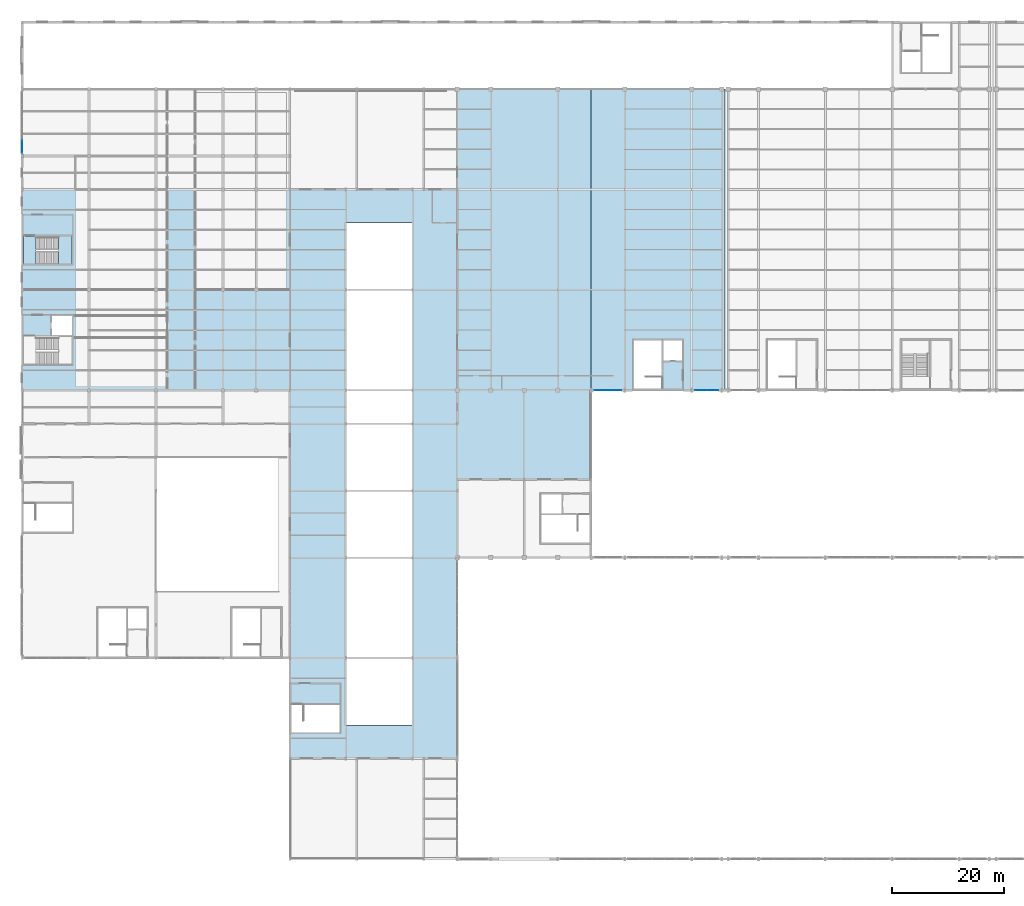
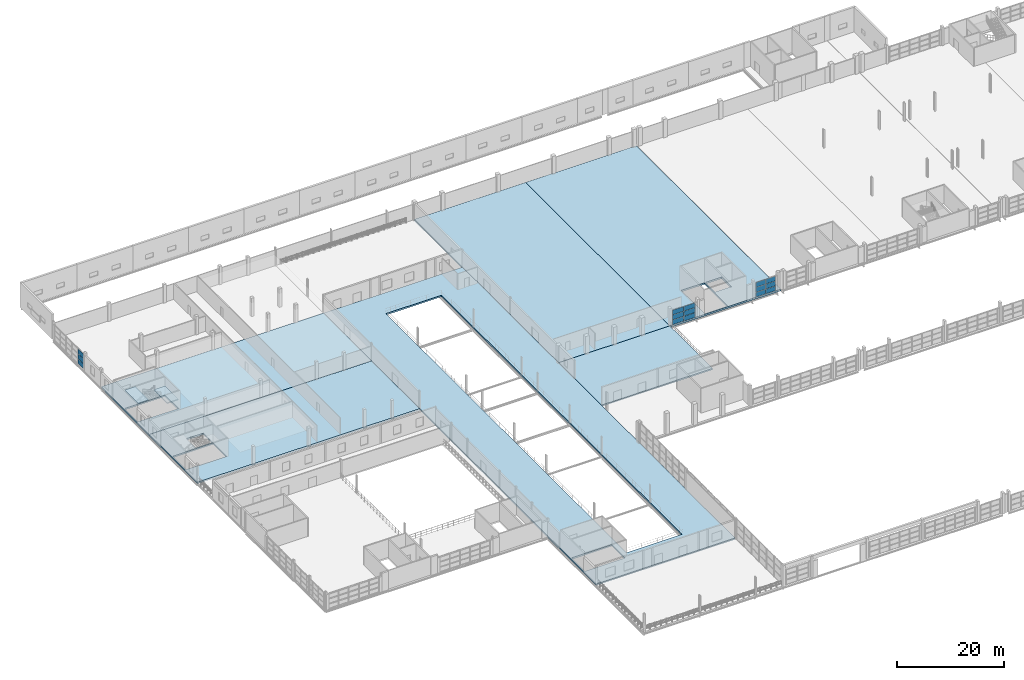
# One storey, part 122 of 147: 15 plates, 8 slabs, 4 elements without a shape of their own.
"""IFC4 building model written with IfcOpenShell, lengths in metres."""

from ifc_helpers import new_model, si_unit, direction, frame, origin, origin_2d, place, context, subcontext, project, spatial, polyline, rectangle, outline, extrude, material, layer, layer_set, type_object, element, aggregate, save


model = new_model("IFC4")

# Units and contexts
model_context = context("Model", 3, precision=1e-05, world=origin(), true_north=direction((0.0, 1.0)))
body_context = subcontext(model_context, "Body", "Model", "MODEL_VIEW")
ifc_project = project(units=[si_unit("LENGTHUNIT", "METRE"), si_unit("AREAUNIT", "SQUARE_METRE"), si_unit("VOLUMEUNIT", "CUBIC_METRE"), si_unit("PLANEANGLEUNIT", "RADIAN"), si_unit("MASSUNIT", "GRAM", prefix="KILO")], contexts=[model_context])

# Site, building, storey
site_placement = place(None, origin())
site = spatial("IfcSite", under=ifc_project, at=site_placement, CompositionType="ELEMENT")
building_placement = place(site_placement, origin())
building = spatial("IfcBuilding", under=site, at=building_placement, Name="Zilviju Railside Exhibition Hall", CompositionType="ELEMENT")
storey_placement = place(building_placement, frame((0.0, 0.0, 8.39990234375)))
storey = spatial("IfcBuildingStorey", under=building, at=storey_placement, Name="L03", CompositionType="ELEMENT", Elevation=8.39990234375)

# Curtain wall, plates
ifc_material_1 = material(Name="Thermally broken aluminium-steel triple-glazed curtain wall", Category="steel")
ifc_layer_1 = layer(ifc_material_1, 0.179931640625)
ifc_layer_set_1 = layer_set([ifc_layer_1], Name="Thermally broken aluminium-steel triple-glazed curtain wall")
curtain_wall_type_1 = type_object("IfcCurtainWallType", Name="CW-BAY-05", PredefinedType="USERDEFINED", material=ifc_layer_set_1)
curtain_wall_1_placement = place(storey_placement, origin())
curtain_wall_1 = element("IfcCurtainWall", 1, at=curtain_wall_1_placement, inside=storey, type_object=curtain_wall_type_1, Name="Organisers Wing Jugendstils Erkeri Curtain Wall L03", ObjectType="GLAZED CURTAIN WALL", PredefinedType="USERDEFINED")
ifc_material_2 = material(Name="Laminated acoustic double-glazed porch unit", Category="glass")
ifc_layer_2 = layer(ifc_material_2, 0.031982421875)
ifc_layer_set_2 = layer_set([ifc_layer_2], Name="Laminated acoustic double-glazed porch unit")
plate_type_1 = type_object("IfcPlateType", Name="CWP-IGU-32", PredefinedType="CURTAIN_PANEL", material=ifc_layer_set_2)
plate_1_placement = place(storey_placement, frame((0.0, 127.655029296875, 0.06005859375), z_axis=(0.0, 0.0, 1.0), x_axis=(0.0, 1.0, 0.0)))
plate_1 = element("IfcPlate", 2, at=plate_1_placement, type_object=plate_type_1, Name="CW-05 panel 1.1", PredefinedType="CURTAIN_PANEL", context=body_context, shape_type="SweptSolid", body=[
    extrude(rectangle(XDim=2.090087890625, YDim=0.031982421875, at=origin_2d()), origin(), (0.0, 0.0, 1.0), 1.076904296875),
])
plate_2_placement = place(storey_placement, frame((0.0, 127.655029296875, 1.197021484375), z_axis=(0.0, 0.0, 1.0), x_axis=(0.0, 1.0, 0.0)))
plate_2 = element("IfcPlate", 3, at=plate_2_placement, type_object=plate_type_1, Name="CW-05 panel 1.2", PredefinedType="CURTAIN_PANEL", context=body_context, shape_type="SweptSolid", body=[
    extrude(rectangle(XDim=2.090087890625, YDim=0.031982421875, at=origin_2d()), origin(), (0.0, 0.0, 1.0), 1.10595703125),
])
plate_3_placement = place(storey_placement, frame((0.0, 127.655029296875, 2.36328125), z_axis=(0.0, 0.0, 1.0), x_axis=(0.0, 1.0, 0.0)))
plate_3 = element("IfcPlate", 4, at=plate_3_placement, type_object=plate_type_1, Name="CW-05 panel 1.3", PredefinedType="CURTAIN_PANEL", context=body_context, shape_type="SweptSolid", body=[
    extrude(rectangle(XDim=2.090087890625, YDim=0.031982421875, at=origin_2d()), origin(), (0.0, 0.0, 1.0), 1.076904296875),
])
aggregate(curtain_wall_1, [plate_1, plate_2, plate_3])

ifc_layer_3 = layer(ifc_material_1, 0.179931640625)
ifc_layer_set_3 = layer_set([ifc_layer_3], Name="Thermally broken aluminium-steel triple-glazed curtain wall")
curtain_wall_type_2 = type_object("IfcCurtainWallType", Name="CW-BAY-18", PredefinedType="USERDEFINED", material=ifc_layer_set_3)
curtain_wall_2_placement = place(storey_placement, origin())
curtain_wall_2 = element("IfcCurtainWall", 5, at=curtain_wall_2_placement, inside=storey, type_object=curtain_wall_type_2, Name="North Hall Garden Court Curtain Wall L03 (102..108)", ObjectType="GLAZED CURTAIN WALL", PredefinedType="USERDEFINED")
ifc_material_3 = material(Name="Triple-glazed low-E argon insulating glass unit", Category="glass")
ifc_layer_4 = layer(ifc_material_3, 0.0439453125)
ifc_layer_set_4 = layer_set([ifc_layer_4], Name="Triple-glazed low-E argon insulating glass unit")
plate_type_2 = type_object("IfcPlateType", Name="CWP-IGU-44", PredefinedType="CURTAIN_PANEL", material=ifc_layer_set_4)
plate_4_placement = place(storey_placement, frame((106.211181640625, 84.0, 0.05517578125), z_axis=(0.0, 0.0, 1.0), x_axis=(-1.0, 0.0, 0.0)))
plate_4 = element("IfcPlate", 6, at=plate_4_placement, type_object=plate_type_2, Name="CW-18 panel 1.1", PredefinedType="CURTAIN_PANEL", context=body_context, shape_type="SweptSolid", body=[
    extrude(rectangle(XDim=2.367431640625, YDim=0.0439453125, at=origin_2d()), origin(), (0.0, 0.0, 1.0), 1.0673828125),
])
plate_5_placement = place(storey_placement, frame((106.211181640625, 84.0, 1.177734375), z_axis=(0.0, 0.0, 1.0), x_axis=(-1.0, 0.0, 0.0)))
plate_5 = element("IfcPlate", 7, at=plate_5_placement, type_object=plate_type_2, Name="CW-18 panel 1.2", PredefinedType="CURTAIN_PANEL", context=body_context, shape_type="SweptSolid", body=[
    extrude(rectangle(XDim=2.367431640625, YDim=0.0439453125, at=origin_2d()), origin(), (0.0, 0.0, 1.0), 1.094970703125),
])
plate_6_placement = place(storey_placement, frame((106.211181640625, 84.0, 2.32763671875), z_axis=(0.0, 0.0, 1.0), x_axis=(-1.0, 0.0, 0.0)))
plate_6 = element("IfcPlate", 8, at=plate_6_placement, type_object=plate_type_2, Name="CW-18 panel 1.3", PredefinedType="CURTAIN_PANEL", context=body_context, shape_type="SweptSolid", body=[
    extrude(rectangle(XDim=2.367431640625, YDim=0.0439453125, at=origin_2d()), origin(), (0.0, 0.0, 1.0), 1.0673828125),
])
plate_7_placement = place(storey_placement, frame((103.788818359375, 84.0, 0.05517578125), z_axis=(0.0, 0.0, 1.0), x_axis=(-1.0, 0.0, 0.0)))
plate_7 = element("IfcPlate", 9, at=plate_7_placement, type_object=plate_type_2, Name="CW-18 panel 2.1", PredefinedType="CURTAIN_PANEL", context=body_context, shape_type="SweptSolid", body=[
    extrude(rectangle(XDim=2.367431640625, YDim=0.0439453125, at=origin_2d()), origin(), (0.0, 0.0, 1.0), 1.0673828125),
])
plate_8_placement = place(storey_placement, frame((103.788818359375, 84.0, 1.177734375), z_axis=(0.0, 0.0, 1.0), x_axis=(-1.0, 0.0, 0.0)))
plate_8 = element("IfcPlate", 10, at=plate_8_placement, type_object=plate_type_2, Name="CW-18 panel 2.2", PredefinedType="CURTAIN_PANEL", context=body_context, shape_type="SweptSolid", body=[
    extrude(rectangle(XDim=2.367431640625, YDim=0.0439453125, at=origin_2d()), origin(), (0.0, 0.0, 1.0), 1.094970703125),
])
plate_9_placement = place(storey_placement, frame((103.788818359375, 84.0, 2.32763671875), z_axis=(0.0, 0.0, 1.0), x_axis=(-1.0, 0.0, 0.0)))
plate_9 = element("IfcPlate", 11, at=plate_9_placement, type_object=plate_type_2, Name="CW-18 panel 2.3", PredefinedType="CURTAIN_PANEL", context=body_context, shape_type="SweptSolid", body=[
    extrude(rectangle(XDim=2.367431640625, YDim=0.0439453125, at=origin_2d()), origin(), (0.0, 0.0, 1.0), 1.0673828125),
])
aggregate(curtain_wall_2, [plate_4, plate_5, plate_6, plate_7, plate_8, plate_9])

ifc_layer_5 = layer(ifc_material_1, 0.179931640625)
ifc_layer_set_5 = layer_set([ifc_layer_5], Name="Thermally broken aluminium-steel triple-glazed curtain wall")
curtain_wall_type_3 = type_object("IfcCurtainWallType", Name="CW-BAY-19", PredefinedType="USERDEFINED", material=ifc_layer_set_5)
curtain_wall_3_placement = place(storey_placement, origin())
curtain_wall_3 = element("IfcCurtainWall", 12, at=curtain_wall_3_placement, inside=storey, type_object=curtain_wall_type_3, Name="North Hall Garden Court Curtain Wall L03 (120..125)", ObjectType="GLAZED CURTAIN WALL", PredefinedType="USERDEFINED")
plate_10_placement = place(storey_placement, frame((123.757568359375, 84.0, 0.070068359375), z_axis=(0.0, 0.0, 1.0), x_axis=(-1.0, 0.0, 0.0)))
plate_10 = element("IfcPlate", 13, at=plate_10_placement, type_object=plate_type_2, Name="CW-19 panel 1.1", PredefinedType="CURTAIN_PANEL", context=body_context, shape_type="SweptSolid", body=[
    extrude(rectangle(XDim=2.044921875, YDim=0.0439453125, at=origin_2d()), origin(), (0.0, 0.0, 1.0), 1.044921875),
])
plate_11_placement = place(storey_placement, frame((123.757568359375, 84.0, 1.18505859375), z_axis=(0.0, 0.0, 1.0), x_axis=(-1.0, 0.0, 0.0)))
plate_11 = element("IfcPlate", 14, at=plate_11_placement, type_object=plate_type_2, Name="CW-19 panel 1.2", PredefinedType="CURTAIN_PANEL", context=body_context, shape_type="SweptSolid", body=[
    extrude(rectangle(XDim=2.044921875, YDim=0.0439453125, at=origin_2d()), origin(), (0.0, 0.0, 1.0), 1.080078125),
])
plate_12_placement = place(storey_placement, frame((123.757568359375, 84.0, 2.335205078125), z_axis=(0.0, 0.0, 1.0), x_axis=(-1.0, 0.0, 0.0)))
plate_12 = element("IfcPlate", 15, at=plate_12_placement, type_object=plate_type_2, Name="CW-19 panel 1.3", PredefinedType="CURTAIN_PANEL", context=body_context, shape_type="SweptSolid", body=[
    extrude(rectangle(XDim=2.044921875, YDim=0.0439453125, at=origin_2d()), origin(), (0.0, 0.0, 1.0), 1.044921875),
])
plate_13_placement = place(storey_placement, frame((121.642578125, 84.0, 0.070068359375), z_axis=(0.0, 0.0, 1.0), x_axis=(-1.0, 0.0, 0.0)))
plate_13 = element("IfcPlate", 16, at=plate_13_placement, type_object=plate_type_2, Name="CW-19 panel 2.1", PredefinedType="CURTAIN_PANEL", context=body_context, shape_type="SweptSolid", body=[
    extrude(rectangle(XDim=2.044921875, YDim=0.0439453125, at=origin_2d()), origin(), (0.0, 0.0, 1.0), 1.044921875),
])
plate_14_placement = place(storey_placement, frame((121.642578125, 84.0, 1.18505859375), z_axis=(0.0, 0.0, 1.0), x_axis=(-1.0, 0.0, 0.0)))
plate_14 = element("IfcPlate", 17, at=plate_14_placement, type_object=plate_type_2, Name="CW-19 panel 2.2", PredefinedType="CURTAIN_PANEL", context=body_context, shape_type="SweptSolid", body=[
    extrude(rectangle(XDim=2.044921875, YDim=0.0439453125, at=origin_2d()), origin(), (0.0, 0.0, 1.0), 1.080078125),
])
plate_15_placement = place(storey_placement, frame((121.642578125, 84.0, 2.335205078125), z_axis=(0.0, 0.0, 1.0), x_axis=(-1.0, 0.0, 0.0)))
plate_15 = element("IfcPlate", 18, at=plate_15_placement, type_object=plate_type_2, Name="CW-19 panel 2.3", PredefinedType="CURTAIN_PANEL", context=body_context, shape_type="SweptSolid", body=[
    extrude(rectangle(XDim=2.044921875, YDim=0.0439453125, at=origin_2d()), origin(), (0.0, 0.0, 1.0), 1.044921875),
])
aggregate(curtain_wall_3, [plate_10, plate_11, plate_12, plate_13, plate_14, plate_15])

# Slabs
ifc_material_4 = material(Name="Concrete C35/45", Category="concrete")
ifc_layer_6 = layer(ifc_material_4, 0.35009765625)
ifc_layer_set_6 = layer_set([ifc_layer_6], Name="Concrete C35/45")
slab_type_1 = type_object("IfcSlabType", Name="SL-FLR-350", PredefinedType="FLOOR", material=ifc_layer_set_6)
slab_1_placement = place(storey_placement, frame((0.0, 0.0, -0.349853515625)))
element("IfcSlab", 19, at=slab_1_placement, inside=storey, type_object=slab_type_1, Name="Winter Concourse L03 Panorama Bridge", PredefinedType="FLOOR", context=body_context, shape_type="SweptSolid", body=[
    extrude(outline(polyline([(48.0, 18.0), (78.0, 18.0), (78.0, 120.0), (48.0, 120.0), (48.0, 18.0)]), holes=[polyline([(58.0, 24.0), (70.0, 24.0), (70.0, 114.0), (58.0, 114.0), (58.0, 24.0)]), polyline([(48.25, 22.64990234375), (56.949951171875, 22.64990234375), (56.949951171875, 27.64990234375), (48.25, 27.64990234375), (48.25, 22.64990234375)])]), origin(), (0.0, 0.0, 1.0), 0.349853515625),
])
slab_2_placement = place(storey_placement, frame((0.0, 0.0, -0.349853515625)))
element("IfcSlab", 20, at=slab_2_placement, inside=storey, type_object=slab_type_1, Name="Breakout Wing L03 Floor Slab 1", PredefinedType="FLOOR", context=body_context, shape_type="SweptSolid", body=[
    extrude(outline(polyline([(0.0, 84.0), (48.0, 84.0), (48.0, 102.0), (0.0, 102.0), (0.0, 84.0)]), holes=[polyline([(0.25, 88.64990234375), (8.949951171875, 88.64990234375), (8.949951171875, 93.64990234375), (0.25, 93.64990234375), (0.25, 88.64990234375)]), polyline([(5.300048828125, 93.89990234375), (8.949951171875, 93.89990234375), (8.949951171875, 97.35009765625), (5.300048828125, 97.35009765625), (5.300048828125, 93.89990234375)])]), origin(), (0.0, 0.0, 1.0), 0.349853515625),
])
slab_3_placement = place(storey_placement, frame((0.0, 0.0, -0.349853515625)))
element("IfcSlab", 21, at=slab_3_placement, inside=storey, type_object=slab_type_1, Name="Breakout Wing L03 Floor Slab 2", PredefinedType="FLOOR", context=body_context, shape_type="SweptSolid", body=[
    extrude(outline(polyline([(0.0, 102.0), (48.0, 102.0), (48.0, 120.0), (0.0, 120.0), (0.0, 102.0)]), holes=[polyline([(0.25, 106.64990234375), (8.949951171875, 106.64990234375), (8.949951171875, 111.64990234375), (0.25, 111.64990234375), (0.25, 106.64990234375)])]), origin(), (0.0, 0.0, 1.0), 0.349853515625),
])
ifc_material_5 = material(Name="Concrete C40/50", Category="concrete")
ifc_layer_7 = layer(ifc_material_5, 0.3798828125)
ifc_layer_set_7 = layer_set([ifc_layer_7], Name="Concrete C40/50")
slab_type_2 = type_object("IfcSlabType", Name="SL-FLR-380", PredefinedType="FLOOR", material=ifc_layer_set_7)
slab_4_placement = place(storey_placement, frame((0.0, 0.0, -0.3798828125)))
element("IfcSlab", 22, at=slab_4_placement, inside=storey, type_object=slab_type_2, Name="North Stacked Hall L03 Exhibition Deck 1", PredefinedType="FLOOR", context=body_context, shape_type="SweptSolid", body=[
    extrude(outline(polyline([(78.0, 84.0), (102.0, 84.0), (102.0, 138.0), (78.0, 138.0), (78.0, 84.0)])), origin(), (0.0, 0.0, 1.0), 0.3798828125),
])
slab_5_placement = place(storey_placement, frame((0.0, 0.0, -0.3798828125)))
element("IfcSlab", 23, at=slab_5_placement, inside=storey, type_object=slab_type_2, Name="North Stacked Hall L03 Exhibition Deck 2", PredefinedType="FLOOR", context=body_context, shape_type="SweptSolid", body=[
    extrude(outline(polyline([(102.0, 84.0), (125.969970703125, 84.0), (125.969970703125, 138.0), (102.0, 138.0), (102.0, 84.0)]), holes=[polyline([(109.64990234375, 84.25), (114.64990234375, 84.25), (114.64990234375, 92.949951171875), (109.64990234375, 92.949951171875), (109.64990234375, 84.25)]), polyline([(114.89990234375, 89.300048828125), (118.35009765625, 89.300048828125), (118.35009765625, 92.949951171875), (114.89990234375, 92.949951171875), (114.89990234375, 89.300048828125)])]), origin(), (0.0, 0.0, 1.0), 0.3798828125),
])

# Stair, slabs
stair_type = type_object("IfcStairType", Name="STAIR-ST-A", PredefinedType="HALF_TURN_STAIR", material=ifc_material_4)
stair_placement = place(storey_placement, origin())
stair = element("IfcStair", 24, at=stair_placement, inside=storey, type_object=stair_type, Name="Core C16 Organisers Wing North Exit Stair L03", PredefinedType="HALF_TURN_STAIR")
ifc_layer_8 = layer(ifc_material_4, 0.199951171875)
ifc_layer_set_8 = layer_set([ifc_layer_8], Name="Concrete C35/45")
slab_type_3 = type_object("IfcSlabType", Name="SL-LAND-200", PredefinedType="LANDING", material=ifc_layer_set_8)
slab_6_placement = place(storey_placement, frame((0.0, 0.0, 1.900146484375)))
slab_6 = element("IfcSlab", 25, at=slab_6_placement, type_object=slab_type_3, Name="ST-16 landing 1", PredefinedType="LANDING", context=body_context, shape_type="SweptSolid", body=[
    extrude(outline(polyline([(6.530029296875, 106.64990234375), (6.530029296875, 111.64990234375), (8.949951171875, 111.64990234375), (8.949951171875, 106.64990234375), (6.530029296875, 106.64990234375)])), origin(), (0.0, 0.0, 1.0), 0.199951171875),
])
slab_7_placement = place(storey_placement, frame((0.0, 0.0, 4.0)))
slab_7 = element("IfcSlab", 26, at=slab_7_placement, type_object=slab_type_3, Name="ST-16 landing 2", PredefinedType="LANDING", context=body_context, shape_type="SweptSolid", body=[
    extrude(outline(polyline([(0.25, 106.64990234375), (0.25, 111.64990234375), (2.5, 111.64990234375), (2.5, 106.64990234375), (0.25, 106.64990234375)])), origin(), (0.0, 0.0, 1.0), 0.2001953125),
])
aggregate(stair, [slab_6, slab_7])

# Slab
ifc_layer_9 = layer(ifc_material_4, 0.320068359375)
ifc_layer_set_9 = layer_set([ifc_layer_9], Name="Concrete C35/45")
slab_type_4 = type_object("IfcSlabType", Name="SL-RG-320", PredefinedType="ROOF", material=ifc_layer_set_9)
slab_8_placement = place(storey_placement, frame((0.0, 0.0, -0.31982421875)))
element("IfcSlab", 27, at=slab_8_placement, inside=storey, type_object=slab_type_4, Name="Water Court Terrace Planted Roof Garden", PredefinedType="ROOF", context=body_context, shape_type="SweptSolid", body=[
    extrude(outline(polyline([(78.0, 68.0), (102.0, 68.0), (102.0, 84.0), (78.0, 84.0), (78.0, 68.0)])), origin(), (0.0, 0.0, 1.0), 0.31982421875),
])

save(model, "model.ifc")
